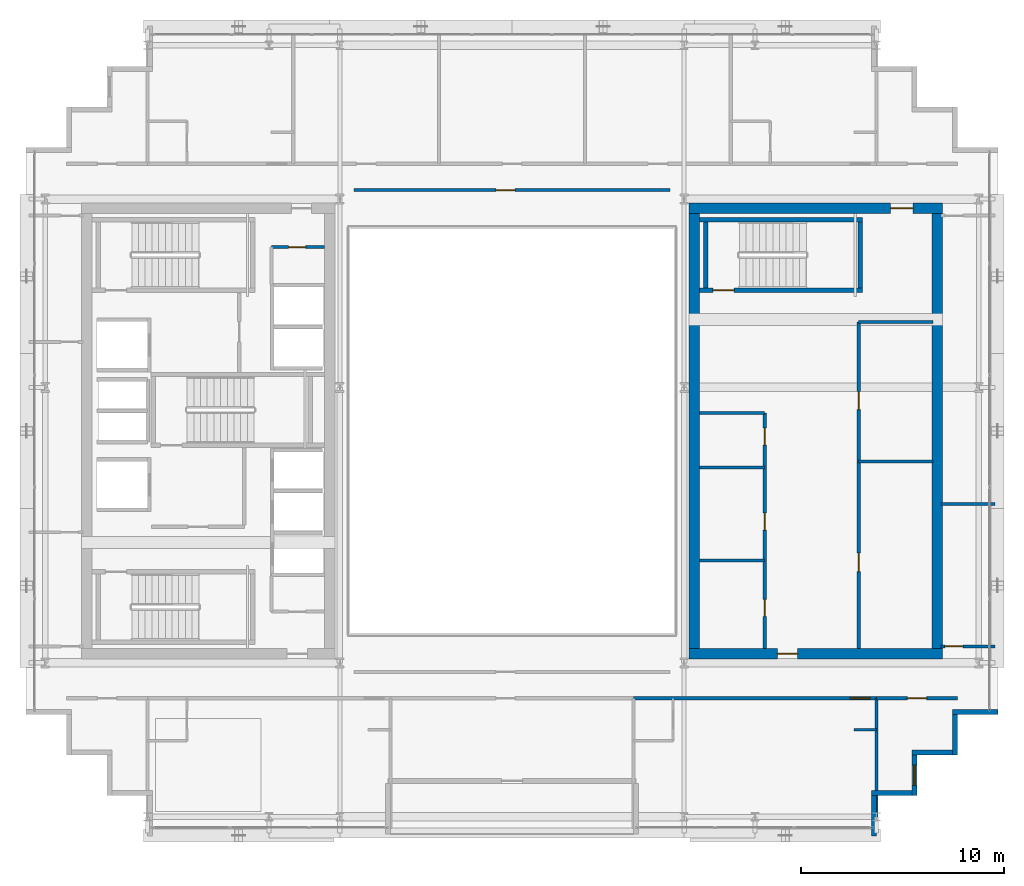
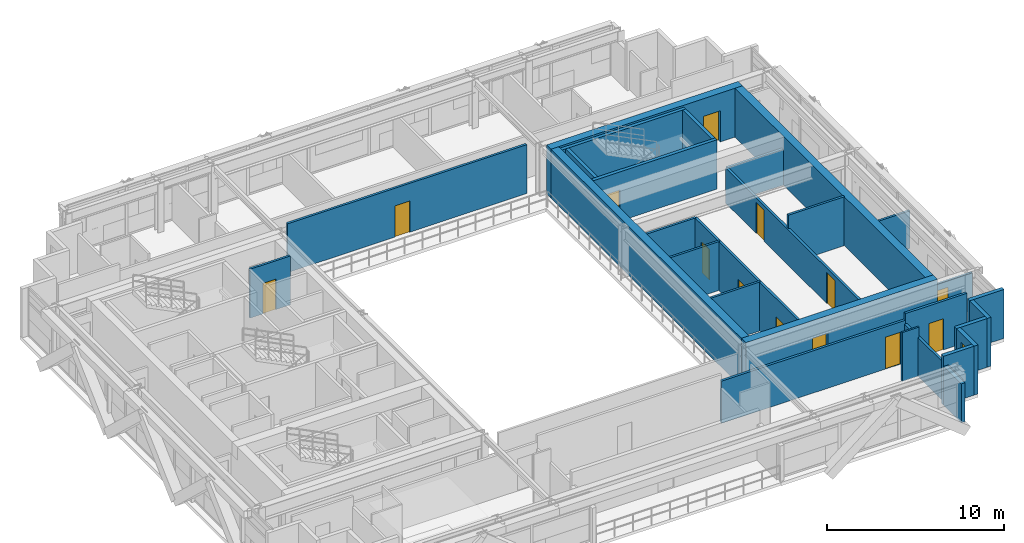
# One storey, part 25 of 30: 29 walls, 13 doors, 1 window, 14 openings.
"""IFC4 building model written with IfcOpenShell, lengths in metres."""

from ifc_helpers import new_model, si_unit, direction, frame, frame_2d, origin, place, context, subcontext, project, spatial, rectangle, extrude, source, transform, mapped, material, layer, layer_set, type_object, element, fill, save


model = new_model("IFC4")

# Units and contexts
model_context = context("Model", 3, precision=1e-05, world=origin(), true_north=direction((0.0, 1.0)))
body_context = subcontext(model_context, "Body", "Model", "MODEL_VIEW")
ifc_project = project(units=[si_unit("LENGTHUNIT", "METRE"), si_unit("AREAUNIT", "SQUARE_METRE"), si_unit("VOLUMEUNIT", "CUBIC_METRE"), si_unit("PLANEANGLEUNIT", "RADIAN"), si_unit("MASSUNIT", "GRAM", prefix="KILO")], contexts=[model_context])

# Site, building, storey
site_placement = place(None, origin())
site = spatial("IfcSite", under=ifc_project, at=site_placement, CompositionType="ELEMENT")
building_placement = place(site_placement, origin())
building = spatial("IfcBuilding", under=site, at=building_placement, Name="Ocotamira Hotel", CompositionType="ELEMENT")
storey_placement = place(building_placement, frame((0.0, 0.0, 195.60009765625)))
storey = spatial("IfcBuildingStorey", under=building, at=storey_placement, Name="L49", CompositionType="ELEMENT", Elevation=195.60009765625)

# Wall, opening, door
ifc_material_1 = material(Name="Concrete C50/60", Category="concrete")
ifc_layer_1 = layer(ifc_material_1, 0.5)
ifc_layer_set_1 = layer_set([ifc_layer_1], Name="Concrete C50/60")
wall_type_1 = type_object("IfcWallType", Name="WL-CORE-500", PredefinedType="SHEAR", material=ifc_layer_set_1)
wall_1_placement = place(storey_placement, frame((40.75, 15.0, 0.0), z_axis=(0.0, 0.0, 1.0), x_axis=(1.0, 0.0, 0.0)))
wall_1 = element("IfcWall", 1, at=wall_1_placement, inside=storey, type_object=wall_type_1, Name="L49 Shear Core Wall ECORE-S", PredefinedType="SHEAR", context=body_context, shape_type="SweptSolid", body=[
    extrude(rectangle(XDim=12.5, YDim=0.5, at=frame_2d((6.25, 0.0))), origin(), (0.0, 0.0, 1.0), 3.369873046875),
])
opening_1_placement = place(wall_1_placement, frame((4.35009765625, 0.0, 0.0)))
opening_1 = element("IfcOpeningElement", 2, at=opening_1_placement, cuts=wall_1, Name="Opening D-FR2", PredefinedType="OPENING", context=body_context, shape_type="SweptSolid", body=[
    extrude(rectangle(XDim=1.0, YDim=2.14990234375, at=frame_2d((0.5, 1.074951171875))), frame((0.0, 0.260009765625, 0.0), z_axis=(0.0, -1.0, 0.0), x_axis=(1.0, 0.0, 0.0)), (0.0, 0.0, 1.0), 0.52001953125),
])
ifc_material_2 = material(Name="Fire-rated acoustic timber-veneer door", Category="wood")
door_type_1 = type_object("IfcDoorType", Name="DR-FIRE-1000", OperationType="NOTDEFINED", PredefinedType="DOOR", material=ifc_material_2)
shared_shape_1 = source(origin(), body_context, "Body", "SweptSolid", [
    extrude(rectangle(XDim=1.0, YDim=2.14990234375, at=frame_2d((0.5, 1.074951171875))), frame((0.0, 0.02490234375, 0.0), z_axis=(0.0, -1.0, 0.0), x_axis=(1.0, 0.0, 0.0)), (0.0, 0.0, 1.0), 0.050048828125),
])
door_1_placement = place(opening_1_placement, origin())
door_1 = element("IfcDoor", 3, at=door_1_placement, inside=storey, type_object=door_type_1, Name="L49 Door ID-L49-ELOB-S-D [ID-L49-ELOB-S-D]", OperationType="SINGLE_SWING_RIGHT", OverallHeight=2.14990234375, OverallWidth=1.0, PredefinedType="DOOR", context=body_context, shape_type="MappedRepresentation", body=[
    mapped(shared_shape_1, transform((0.0, 0.0, 0.0), scale=1.0)),
])
fill(opening_1, door_1)

wall_2_placement = place(storey_placement, frame((40.75, 37.0, 0.0), z_axis=(0.0, 0.0, 1.0), x_axis=(1.0, 0.0, 0.0)))
wall_2 = element("IfcWall", 4, at=wall_2_placement, inside=storey, type_object=wall_type_1, Name="L49 Shear Core Wall ECORE-N", PredefinedType="SHEAR", context=body_context, shape_type="SweptSolid", body=[
    extrude(rectangle(XDim=12.5, YDim=0.5, at=frame_2d((6.25, 0.0))), origin(), (0.0, 0.0, 1.0), 3.369873046875),
])
opening_2_placement = place(wall_2_placement, frame((9.949951171875, 0.0, 0.0)))
opening_2 = element("IfcOpeningElement", 5, at=opening_2_placement, cuts=wall_2, Name="Opening D-FR1", PredefinedType="OPENING", context=body_context, shape_type="SweptSolid", body=[
    extrude(rectangle(XDim=1.10009765625, YDim=2.14990234375, at=frame_2d((0.550048828125, 1.074951171875))), frame((0.0, 0.260009765625, 0.0), z_axis=(0.0, -1.0, 0.0), x_axis=(1.0, 0.0, 0.0)), (0.0, 0.0, 1.0), 0.52001953125),
])
door_type_2 = type_object("IfcDoorType", Name="DR-FIRE-1100", OperationType="NOTDEFINED", PredefinedType="DOOR", material=ifc_material_2)
shared_shape_2 = source(origin(), body_context, "Body", "SweptSolid", [
    extrude(rectangle(XDim=1.10009765625, YDim=2.14990234375, at=frame_2d((0.550048828125, 1.074951171875))), frame((0.0, 0.02490234375, 0.0), z_axis=(0.0, -1.0, 0.0), x_axis=(1.0, 0.0, 0.0)), (0.0, 0.0, 1.0), 0.050048828125),
])
door_2_placement = place(opening_2_placement, origin())
door_2 = element("IfcDoor", 6, at=door_2_placement, inside=storey, type_object=door_type_2, Name="L49 Door ID-L49-ELOB-N-D [ID-L49-ELOB-N-D]", OperationType="SINGLE_SWING_LEFT", OverallHeight=2.14990234375, OverallWidth=1.10009765625, PredefinedType="DOOR", context=body_context, shape_type="MappedRepresentation", body=[
    mapped(shared_shape_2, transform((0.0, 0.0, 0.0), scale=1.0)),
])
fill(opening_2, door_2)

# Walls
for number, where, z_axis, x_axis, name in (
    (7, (41.0, 15.25, 0.0), (0.0, 0.0, 1.0), (0.0, 1.0, 0.0), "L49 Shear Core Wall ECORE-W"),
    (8, (53.0, 15.25, 0.0), (0.0, 0.0, 1.0), (0.0, 1.0, 0.0), "L49 Shear Core Wall ECORE-E"),
):
    element("IfcWall", number, at=place(storey_placement, frame(where, z_axis=z_axis, x_axis=x_axis)), inside=storey, type_object=wall_type_1, Name=name, PredefinedType="SHEAR", context=body_context, shape_type="SweptSolid", body=[
        extrude(rectangle(XDim=21.5, YDim=0.5, at=frame_2d((10.75, 0.0))), origin(), (0.0, 0.0, 1.0), 3.369873046875),
    ])
ifc_material_3 = material(Name="Precast concrete C45/55", Category="concrete")
ifc_layer_2 = layer(ifc_material_3, 0.25)
ifc_layer_set_2 = layer_set([ifc_layer_2], Name="Precast concrete C45/55")
wall_type_2 = type_object("IfcWallType", Name="WL-EXT-SER-250", PredefinedType="SOLIDWALL", material=ifc_layer_set_2)
wall_3_placement = place(storey_placement, frame((49.875, 6.0, 0.0), z_axis=(0.0, 0.0, 1.0), x_axis=(0.0, 1.0, 0.0)))
element("IfcWall", 9, at=wall_3_placement, inside=storey, type_object=wall_type_2, Name="L49 Serrated Corner Wall 01", PredefinedType="SOLIDWALL", context=body_context, shape_type="SweptSolid", body=[
    extrude(rectangle(XDim=2.0, YDim=0.25, at=frame_2d((1.0, 0.0))), origin(), (0.0, 0.0, 1.0), 2.677001953125),
])
wall_4_placement = place(storey_placement, frame((49.75, 8.125, 0.0), z_axis=(0.0, 0.0, 1.0), x_axis=(1.0, 0.0, 0.0)))
element("IfcWall", 10, at=wall_4_placement, inside=storey, type_object=wall_type_2, Name="L49 Serrated Corner Wall 02", PredefinedType="SOLIDWALL", context=body_context, shape_type="SweptSolid", body=[
    extrude(rectangle(XDim=2.0, YDim=0.25, at=frame_2d((1.0, 0.0))), origin(), (0.0, 0.0, 1.0), 3.369873046875),
])

# Wall, opening, window
wall_5_placement = place(storey_placement, frame((51.875, 8.0, 0.0), z_axis=(0.0, 0.0, 1.0), x_axis=(0.0, 1.0, 0.0)))
wall_5 = element("IfcWall", 11, at=wall_5_placement, inside=storey, type_object=wall_type_2, Name="L49 Serrated Corner Wall 03", PredefinedType="SOLIDWALL", context=body_context, shape_type="SweptSolid", body=[
    extrude(rectangle(XDim=2.0, YDim=0.25, at=frame_2d((1.0, 0.0))), origin(), (0.0, 0.0, 1.0), 3.369873046875),
])
opening_3_placement = place(wall_5_placement, frame((0.5, 0.0, 0.85009765625)))
opening_3 = element("IfcOpeningElement", 12, at=opening_3_placement, cuts=wall_5, Name="Opening WN-2", PredefinedType="OPENING", context=body_context, shape_type="SweptSolid", body=[
    extrude(rectangle(XDim=1.0, YDim=1.89990234375, at=frame_2d((0.5, 0.949951171875))), frame((0.0, 0.135009765625, 0.0), z_axis=(0.0, -1.0, 0.0), x_axis=(1.0, 0.0, 0.0)), (0.0, 0.0, 1.0), 0.27001953125),
])
ifc_material_4 = material(Name="Double-silver low-E solar glass", Category="glass")
window_type = type_object("IfcWindowType", Name="WIN-SER-1100", PartitioningType="SINGLE_PANEL", PredefinedType="WINDOW", material=ifc_material_4)
shared_shape_3 = source(origin(), body_context, "Body", "SweptSolid", [
    extrude(rectangle(XDim=1.0, YDim=1.89990234375, at=frame_2d((0.5, 0.949951171875))), frame((0.0, 0.030029296875, 0.0), z_axis=(0.0, -1.0, 0.0), x_axis=(1.0, 0.0, 0.0)), (0.0, 0.0, 1.0), 0.06005859375),
])
window_placement = place(opening_3_placement, origin())
window = element("IfcWindow", 13, at=window_placement, inside=storey, type_object=window_type, Name="L49 Serrated Corner Window 03", OverallHeight=1.89990234375, OverallWidth=1.0, PartitioningType="SINGLE_PANEL", PredefinedType="WINDOW", context=body_context, shape_type="MappedRepresentation", body=[
    mapped(shared_shape_3, transform((0.0, 0.0, 0.0), scale=1.0)),
])
fill(opening_3, window)

# Walls
for number, where, z_axis, x_axis, name in (
    (14, (51.75, 10.125, 0.0), (0.0, 0.0, 1.0), (1.0, 0.0, 0.0), "L49 Serrated Corner Wall 04"),
    (15, (53.875, 10.0, 0.0), (0.0, 0.0, 1.0), (0.0, 1.0, 0.0), "L49 Serrated Corner Wall 05"),
):
    element("IfcWall", number, at=place(storey_placement, frame(where, z_axis=z_axis, x_axis=x_axis)), inside=storey, type_object=wall_type_2, Name=name, PredefinedType="SOLIDWALL", context=body_context, shape_type="SweptSolid", body=[
        extrude(rectangle(XDim=2.0, YDim=0.25, at=frame_2d((1.0, 0.0))), origin(), (0.0, 0.0, 1.0), 3.369873046875),
    ])
wall_6_placement = place(storey_placement, frame((53.75, 12.125, 0.0), z_axis=(0.0, 0.0, 1.0), x_axis=(1.0, 0.0, 0.0)))
element("IfcWall", 16, at=wall_6_placement, inside=storey, type_object=wall_type_2, Name="L49 Serrated Corner Wall 06", PredefinedType="SOLIDWALL", context=body_context, shape_type="SweptSolid", body=[
    extrude(rectangle(XDim=2.25, YDim=0.25, at=frame_2d((1.125, 0.0))), origin(), (0.0, 0.0, 1.0), 3.369873046875),
])
ifc_material_5 = material(Name="Acoustic double-layer fire gypsum board partition", Category="gypsum")
ifc_layer_3 = layer(ifc_material_5, 0.159912109375)
ifc_layer_set_3 = layer_set([ifc_layer_3], Name="Acoustic double-layer fire gypsum board partition")
wall_type_3 = type_object("IfcWallType", Name="WL-FIRE-160", PredefinedType="PARTITIONING", material=ifc_layer_set_3)
wall_7_placement = place(storey_placement, frame((49.1201171875, 31.3798828125, 0.0), z_axis=(0.0, 0.0, 1.0), x_axis=(1.0, 0.0, 0.0)))
element("IfcWall", 17, at=wall_7_placement, inside=storey, type_object=wall_type_3, Name="L49 Interior Wall PW-L49-EC-FLOW-N", PredefinedType="PARTITIONING", context=body_context, shape_type="SweptSolid", body=[
    extrude(rectangle(XDim=3.679931640625, YDim=0.159912109375, at=frame_2d((1.83984375, 0.0))), origin(), (0.0, 0.0, 1.0), 2.469970703125),
])

# Wall, openings, doors
wall_8_placement = place(storey_placement, frame((49.1201171875, 15.25, 0.0), z_axis=(0.0, 0.0, 1.0), x_axis=(0.0, 1.0, 0.0)))
wall_8 = element("IfcWall", 18, at=wall_8_placement, inside=storey, type_object=wall_type_3, Name="L49 Interior Wall PW-L49-EC-FLOW-W", PredefinedType="PARTITIONING", context=body_context, shape_type="SweptSolid", body=[
    extrude(rectangle(XDim=16.1298828125, YDim=0.159912109375, at=frame_2d((8.06494140625, 0.0))), origin(), (0.0, 0.0, 1.0), 2.44287109375),
])
opening_4_placement = place(wall_8_placement, frame((3.800048828125, 0.0, 0.0)))
opening_4 = element("IfcOpeningElement", 19, at=opening_4_placement, cuts=wall_8, Name="Opening D-SV3", PredefinedType="OPENING", context=body_context, shape_type="SweptSolid", body=[
    extrude(rectangle(XDim=0.919921875, YDim=2.14990234375, at=frame_2d((0.4599609375, 1.074951171875))), frame((0.0, 0.08984375, 0.0), z_axis=(0.0, -1.0, 0.0), x_axis=(1.0, 0.0, 0.0)), (0.0, 0.0, 1.0), 0.179931640625),
])
opening_5_placement = place(wall_8_placement, frame((11.800048828125, 0.0, 0.0)))
opening_5 = element("IfcOpeningElement", 20, at=opening_5_placement, cuts=wall_8, Name="Opening D-IN3", PredefinedType="OPENING", context=body_context, shape_type="SweptSolid", body=[
    extrude(rectangle(XDim=0.89990234375, YDim=2.14990234375, at=frame_2d((0.449951171875, 1.074951171875))), frame((0.0, 0.08984375, 0.0), z_axis=(0.0, -1.0, 0.0), x_axis=(1.0, 0.0, 0.0)), (0.0, 0.0, 1.0), 0.179931640625),
])
ifc_material_6 = material(Name="Painted service room door", Category="steel")
door_type_3 = type_object("IfcDoorType", Name="DR-INT-900", OperationType="NOTDEFINED", PredefinedType="DOOR", material=ifc_material_6)
shared_shape_4 = source(origin(), body_context, "Body", "SweptSolid", [
    extrude(rectangle(XDim=0.89990234375, YDim=2.14990234375, at=frame_2d((0.449951171875, 1.074951171875))), frame((0.0, 0.02490234375, 0.0), z_axis=(0.0, -1.0, 0.0), x_axis=(1.0, 0.0, 0.0)), (0.0, 0.0, 1.0), 0.050048828125),
])
door_3_placement = place(opening_5_placement, origin())
door_3 = element("IfcDoor", 21, at=door_3_placement, inside=storey, type_object=door_type_3, Name="L49 Door ID-L49-EC-FLOW-DB [ID-L49-EC-FLOW-DB]", OperationType="SINGLE_SWING_RIGHT", OverallHeight=2.14990234375, OverallWidth=0.89990234375, PredefinedType="DOOR", context=body_context, shape_type="MappedRepresentation", body=[
    mapped(shared_shape_4, transform((0.0, 0.0, 0.0), scale=1.0)),
])
fill(opening_5, door_3)
ifc_material_7 = material(Name="Fire-rated walnut hospitality door", Category="wood")
door_type_4 = type_object("IfcDoorType", Name="DR-SERV-920", OperationType="NOTDEFINED", PredefinedType="DOOR", material=ifc_material_7)
shared_shape_5 = source(origin(), body_context, "Body", "SweptSolid", [
    extrude(rectangle(XDim=0.919921875, YDim=2.14990234375, at=frame_2d((0.4599609375, 1.074951171875))), frame((0.0, 0.02490234375, 0.0), z_axis=(0.0, -1.0, 0.0), x_axis=(1.0, 0.0, 0.0)), (0.0, 0.0, 1.0), 0.050048828125),
])
door_4_placement = place(opening_4_placement, origin())
door_4 = element("IfcDoor", 22, at=door_4_placement, inside=storey, type_object=door_type_4, Name="L49 Door ID-L49-EC-FLOW-DA [ID-L49-EC-FLOW-DA]", OperationType="SINGLE_SWING_LEFT", OverallHeight=2.14990234375, OverallWidth=0.919921875, PredefinedType="DOOR", context=body_context, shape_type="MappedRepresentation", body=[
    mapped(shared_shape_5, transform((0.0, 0.0, 0.0), scale=1.0)),
])
fill(opening_4, door_4)

# Wall, opening, door
wall_9_placement = place(storey_placement, frame((50.0, 12.800048828125, 0.0), z_axis=(0.0, 0.0, 1.0), x_axis=(1.0, 0.0, 0.0)))
wall_9 = element("IfcWall", 23, at=wall_9_placement, inside=storey, type_object=wall_type_3, Name="L49 Interior Wall PW-L49-Z3D-CSE-CW", PredefinedType="PARTITIONING", context=body_context, shape_type="SweptSolid", body=[
    extrude(rectangle(XDim=4.0, YDim=0.159912109375, at=frame_2d((2.0, 0.0))), origin(), (0.0, 0.0, 1.0), 3.369873046875),
])
opening_6_placement = place(wall_9_placement, frame((1.52001953125, 0.0, 0.0)))
opening_6 = element("IfcOpeningElement", 24, at=opening_6_placement, cuts=wall_9, Name="Opening D-SV4", PredefinedType="OPENING", context=body_context, shape_type="SweptSolid", body=[
    extrude(rectangle(XDim=0.9599609375, YDim=2.14990234375, at=frame_2d((0.47998046875, 1.074951171875))), frame((0.0, 0.08984375, 0.0), z_axis=(0.0, -1.0, 0.0), x_axis=(1.0, 0.0, 0.0)), (0.0, 0.0, 1.0), 0.179931640625),
])
ifc_material_8 = material(Name="Fire-rated accessible walnut salon door", Category="wood")
door_type_5 = type_object("IfcDoorType", Name="DR-SERV-960", OperationType="NOTDEFINED", PredefinedType="DOOR", material=ifc_material_8)
shared_shape_6 = source(origin(), body_context, "Body", "SweptSolid", [
    extrude(rectangle(XDim=0.9599609375, YDim=2.14990234375, at=frame_2d((0.47998046875, 1.074951171875))), frame((0.0, 0.02490234375, 0.0), z_axis=(0.0, -1.0, 0.0), x_axis=(1.0, 0.0, 0.0)), (0.0, 0.0, 1.0), 0.050048828125),
])
door_5_placement = place(opening_6_placement, origin())
door_5 = element("IfcDoor", 25, at=door_5_placement, inside=storey, type_object=door_type_5, Name="L49 Door ID-L49-Z3D-CSE-CD [ID-L49-Z3D-CSE-CD]", OperationType="SINGLE_SWING_LEFT", OverallHeight=2.14990234375, OverallWidth=0.9599609375, PredefinedType="DOOR", context=body_context, shape_type="MappedRepresentation", body=[
    mapped(shared_shape_6, transform((0.0, 0.0, 0.0), scale=1.0)),
])
fill(opening_6, door_5)

wall_10_placement = place(storey_placement, frame((38.0, 12.800048828125, 0.0), z_axis=(0.0, 0.0, 1.0), x_axis=(1.0, 0.0, 0.0)))
wall_10 = element("IfcWall", 26, at=wall_10_placement, inside=storey, type_object=wall_type_3, Name="L49 Interior Wall PW-L49-Z3DSE-CORRW", PredefinedType="PARTITIONING", context=body_context, shape_type="SweptSolid", body=[
    extrude(rectangle(XDim=12.0, YDim=0.159912109375, at=frame_2d((6.0, 0.0))), origin(), (0.0, 0.0, 1.0), 2.912841796875),
])
opening_7_placement = place(wall_10_placement, frame((10.699951171875, 0.0, 0.0)))
opening_7 = element("IfcOpeningElement", 27, at=opening_7_placement, cuts=wall_10, Name="Opening D-GR2", PredefinedType="OPENING", context=body_context, shape_type="SweptSolid", body=[
    extrude(rectangle(XDim=0.97998046875, YDim=2.199951171875, at=frame_2d((0.489990234375, 1.10009765625))), frame((0.0, 0.08984375, 0.0), z_axis=(0.0, -1.0, 0.0), x_axis=(1.0, 0.0, 0.0)), (0.0, 0.0, 1.0), 0.179931640625),
])
ifc_material_9 = material(Name="Solid-core walnut grand-suite entrance fire door", Category="wood")
door_type_6 = type_object("IfcDoorType", Name="DR-GUEST-980", OperationType="NOTDEFINED", PredefinedType="DOOR", material=ifc_material_9)
shared_shape_7 = source(origin(), body_context, "Body", "SweptSolid", [
    extrude(rectangle(XDim=0.97998046875, YDim=2.199951171875, at=frame_2d((0.489990234375, 1.10009765625))), frame((0.0, 0.02490234375, 0.0), z_axis=(0.0, -1.0, 0.0), x_axis=(1.0, 0.0, 0.0)), (0.0, 0.0, 1.0), 0.050048828125),
])
door_6_placement = place(opening_7_placement, origin())
door_6 = element("IfcDoor", 28, at=door_6_placement, inside=storey, type_object=door_type_6, Name="L49 Door ID-L49-Z3DSE-RMD1 [ID-L49-Z3DSE-RMD1]", OperationType="SINGLE_SWING_LEFT", OverallHeight=2.199951171875, OverallWidth=0.97998046875, PredefinedType="DOOR", context=body_context, shape_type="MappedRepresentation", body=[
    mapped(shared_shape_7, transform((0.0, 0.0, 0.0), scale=1.0)),
])
fill(opening_7, door_6)

# Wall
ifc_material_10 = material(Name="Moisture-resistant en-suite tile and gypsum partition", Category="gypsum")
ifc_layer_4 = layer(ifc_material_10, 0.1201171875)
ifc_layer_set_4 = layer_set([ifc_layer_4], Name="Moisture-resistant en-suite tile and gypsum partition")
wall_type_4 = type_object("IfcWallType", Name="WL-PART-120", PredefinedType="PARTITIONING", material=ifc_layer_set_4)
wall_11_placement = place(storey_placement, frame((48.89990234375, 11.25, 0.0), z_axis=(0.0, 0.0, 1.0), x_axis=(1.0, 0.0, 0.0)))
element("IfcWall", 29, at=wall_11_placement, inside=storey, type_object=wall_type_4, Name="L49 Interior Wall PW-L49-Z3DSE-DRN1", PredefinedType="PARTITIONING", context=body_context, shape_type="SweptSolid", body=[
    extrude(rectangle(XDim=1.10009765625, YDim=0.1201171875, at=frame_2d((0.550048828125, 0.0))), origin(), (0.0, 0.0, 1.0), 3.369873046875),
])

# Wall, opening, door
ifc_material_11 = material(Name="Acoustic hospitality gypsum board partition", Category="gypsum")
ifc_layer_5 = layer(ifc_material_11, 0.14208984375)
ifc_layer_set_5 = layer_set([ifc_layer_5], Name="Acoustic hospitality gypsum board partition")
wall_type_5 = type_object("IfcWallType", Name="WL-PART-142", PredefinedType="PARTITIONING", material=ifc_layer_set_5)
wall_12_placement = place(storey_placement, frame((20.1201171875, 35.080078125, 0.0), z_axis=(0.0, 0.0, 1.0), x_axis=(1.0, 0.0, 0.0)))
wall_12 = element("IfcWall", 30, at=wall_12_placement, inside=storey, type_object=wall_type_5, Name="L49 Interior Wall PW-L49-WC-NE-N2", PredefinedType="PARTITIONING", context=body_context, shape_type="SweptSolid", body=[
    extrude(rectangle(XDim=2.6298828125, YDim=0.14208984375, at=frame_2d((1.31494140625, 0.0))), origin(), (0.0, 0.0, 1.0), 3.369873046875),
])
opening_8_placement = place(wall_12_placement, frame((0.85009765625, 0.0, 0.0)))
opening_8 = element("IfcOpeningElement", 31, at=opening_8_placement, cuts=wall_12, Name="Opening D-SV1", PredefinedType="OPENING", context=body_context, shape_type="SweptSolid", body=[
    extrude(rectangle(XDim=0.840087890625, YDim=2.10009765625, at=frame_2d((0.419921875, 1.050048828125))), frame((0.0, 0.0810546875, 0.0), z_axis=(0.0, -1.0, 0.0), x_axis=(1.0, 0.0, 0.0)), (0.0, 0.0, 1.0), 0.162109375),
])
ifc_material_12 = material(Name="Fire-rated painted steel service door", Category="steel")
door_type_7 = type_object("IfcDoorType", Name="DR-SERV-840", OperationType="NOTDEFINED", PredefinedType="DOOR", material=ifc_material_12)
shared_shape_8 = source(origin(), body_context, "Body", "SweptSolid", [
    extrude(rectangle(XDim=0.840087890625, YDim=2.10009765625, at=frame_2d((0.419921875, 1.050048828125))), frame((0.0, 0.02490234375, 0.0), z_axis=(0.0, -1.0, 0.0), x_axis=(1.0, 0.0, 0.0)), (0.0, 0.0, 1.0), 0.050048828125),
])
door_7_placement = place(opening_8_placement, origin())
door_7 = element("IfcDoor", 32, at=door_7_placement, inside=storey, type_object=door_type_7, Name="L49 Door ID-L49-WC-NE-D2 [ID-L49-WC-NE-D2]", OperationType="SINGLE_SWING_RIGHT", OverallHeight=2.10009765625, OverallWidth=0.840087890625, PredefinedType="DOOR", context=body_context, shape_type="MappedRepresentation", body=[
    mapped(shared_shape_8, transform((0.0, 0.0, 0.0), scale=1.0)),
])
fill(opening_8, door_7)

# Walls
for number, where, z_axis, x_axis, name in (
    (33, (41.25, 19.60009765625, 0.0), (0.0, 0.0, 1.0), (1.0, 0.0, 0.0), "L49 Interior Wall PW-L49-EC-FMD1"),
    (34, (41.25, 24.199951171875, 0.0), (0.0, 0.0, 1.0), (1.0, 0.0, 0.0), "L49 Interior Wall PW-L49-EC-FMD2"),
):
    element("IfcWall", number, at=place(storey_placement, frame(where, z_axis=z_axis, x_axis=x_axis)), inside=storey, type_object=wall_type_5, Name=name, PredefinedType="PARTITIONING", context=body_context, shape_type="SweptSolid", body=[
        extrude(rectangle(XDim=3.22998046875, YDim=0.14208984375, at=frame_2d((1.614990234375, 0.0))), origin(), (0.0, 0.0, 1.0), 3.369873046875),
    ])
wall_13_placement = place(storey_placement, frame((53.179931640625, 22.39990234375, 0.0), z_axis=(0.0, 0.0, 1.0), x_axis=(1.0, 0.0, 0.0)))
element("IfcWall", 35, at=wall_13_placement, inside=storey, type_object=wall_type_5, Name="L49 Interior Wall PW-L49-Z3D-EF-DV1", PredefinedType="PARTITIONING", context=body_context, shape_type="SweptSolid", body=[
    extrude(rectangle(XDim=2.66015625, YDim=0.14208984375, at=frame_2d((1.330078125, 0.0))), origin(), (0.0, 0.0, 1.0), 2.5908203125),
])
ifc_layer_6 = layer(ifc_material_11, 0.14990234375)
ifc_layer_set_6 = layer_set([ifc_layer_6], Name="Acoustic hospitality gypsum board partition")
wall_type_6 = type_object("IfcWallType", Name="WL-PART-150", PredefinedType="PARTITIONING", material=ifc_layer_set_6)
wall_14_placement = place(storey_placement, frame((49.1201171875, 24.489990234375, 0.0), z_axis=(0.0, 0.0, 1.0), x_axis=(1.0, 0.0, 0.0)))
element("IfcWall", 36, at=wall_14_placement, inside=storey, type_object=wall_type_6, Name="L49 Interior Wall PW-L49-EC-FDIVA", PredefinedType="PARTITIONING", context=body_context, shape_type="SweptSolid", body=[
    extrude(rectangle(XDim=3.679931640625, YDim=0.14990234375, at=frame_2d((1.83984375, 0.0))), origin(), (0.0, 0.0, 1.0), 3.369873046875),
])
wall_15_placement = place(storey_placement, frame((41.25, 26.8798828125, 0.0), z_axis=(0.0, 0.0, 1.0), x_axis=(1.0, 0.0, 0.0)))
element("IfcWall", 37, at=wall_15_placement, inside=storey, type_object=wall_type_6, Name="L49 Interior Wall PW-L49-EC-FMID-N", PredefinedType="PARTITIONING", context=body_context, shape_type="SweptSolid", body=[
    extrude(rectangle(XDim=3.22998046875, YDim=0.14990234375, at=frame_2d((1.614990234375, 0.0))), origin(), (0.0, 0.0, 1.0), 3.369873046875),
])

# Wall, openings, doors
wall_16_placement = place(storey_placement, frame((44.47998046875, 15.25, 0.0), z_axis=(0.0, 0.0, 1.0), x_axis=(0.0, 1.0, 0.0)))
wall_16 = element("IfcWall", 38, at=wall_16_placement, inside=storey, type_object=wall_type_6, Name="L49 Interior Wall PW-L49-EC-FMID-E", PredefinedType="PARTITIONING", context=body_context, shape_type="SweptSolid", body=[
    extrude(rectangle(XDim=11.6298828125, YDim=0.14990234375, at=frame_2d((5.81494140625, 0.0))), origin(), (0.0, 0.0, 1.0), 3.369873046875),
])
opening_9_placement = place(wall_16_placement, frame((1.60009765625, 0.0, 0.0)))
opening_9 = element("IfcOpeningElement", 39, at=opening_9_placement, cuts=wall_16, Name="Opening D-SV1", PredefinedType="OPENING", context=body_context, shape_type="SweptSolid", body=[
    extrude(rectangle(XDim=0.840087890625, YDim=2.10009765625, at=frame_2d((0.419921875, 1.050048828125))), frame((0.0, 0.0849609375, 0.0), z_axis=(0.0, -1.0, 0.0), x_axis=(1.0, 0.0, 0.0)), (0.0, 0.0, 1.0), 0.169921875),
])
opening_10_placement = place(wall_16_placement, frame((5.85009765625, 0.0, 0.0)))
opening_10 = element("IfcOpeningElement", 40, at=opening_10_placement, cuts=wall_16, Name="Opening D-SV1", PredefinedType="OPENING", context=body_context, shape_type="SweptSolid", body=[
    extrude(rectangle(XDim=0.840087890625, YDim=2.10009765625, at=frame_2d((0.419921875, 1.050048828125))), frame((0.0, 0.0849609375, 0.0), z_axis=(0.0, -1.0, 0.0), x_axis=(1.0, 0.0, 0.0)), (0.0, 0.0, 1.0), 0.169921875),
])
opening_11_placement = place(wall_16_placement, frame((10.050048828125, 0.0, 0.0)))
opening_11 = element("IfcOpeningElement", 41, at=opening_11_placement, cuts=wall_16, Name="Opening D-SV1", PredefinedType="OPENING", context=body_context, shape_type="SweptSolid", body=[
    extrude(rectangle(XDim=0.840087890625, YDim=2.10009765625, at=frame_2d((0.419921875, 1.050048828125))), frame((0.0, 0.0849609375, 0.0), z_axis=(0.0, -1.0, 0.0), x_axis=(1.0, 0.0, 0.0)), (0.0, 0.0, 1.0), 0.169921875),
])
door_8_placement = place(opening_9_placement, origin())
door_8 = element("IfcDoor", 42, at=door_8_placement, inside=storey, type_object=door_type_7, Name="L49 Door ID-L49-EC-FMD-1 [ID-L49-EC-FMD-1]", OperationType="SINGLE_SWING_LEFT", OverallHeight=2.10009765625, OverallWidth=0.840087890625, PredefinedType="DOOR", context=body_context, shape_type="MappedRepresentation", body=[
    mapped(shared_shape_8, transform((0.0, 0.0, 0.0), scale=1.0)),
])
fill(opening_9, door_8)
door_9_placement = place(opening_10_placement, origin())
door_9 = element("IfcDoor", 43, at=door_9_placement, inside=storey, type_object=door_type_7, Name="L49 Door ID-L49-EC-FMD-2 [ID-L49-EC-FMD-2]", OperationType="SINGLE_SWING_RIGHT", OverallHeight=2.10009765625, OverallWidth=0.840087890625, PredefinedType="DOOR", context=body_context, shape_type="MappedRepresentation", body=[
    mapped(shared_shape_8, transform((0.0, 0.0, 0.0), scale=1.0)),
])
fill(opening_10, door_9)
door_10_placement = place(opening_11_placement, origin())
door_10 = element("IfcDoor", 44, at=door_10_placement, inside=storey, type_object=door_type_7, Name="L49 Door ID-L49-EC-FMD-3 [ID-L49-EC-FMD-3]", OperationType="SINGLE_SWING_LEFT", OverallHeight=2.10009765625, OverallWidth=0.840087890625, PredefinedType="DOOR", context=body_context, shape_type="MappedRepresentation", body=[
    mapped(shared_shape_8, transform((0.0, 0.0, 0.0), scale=1.0)),
])
fill(opening_11, door_10)

# Wall, opening, door
wall_17_placement = place(storey_placement, frame((24.199951171875, 37.89990234375, 0.0), z_axis=(0.0, 0.0, 1.0), x_axis=(1.0, 0.0, 0.0)))
wall_17 = element("IfcWall", 45, at=wall_17_placement, inside=storey, type_object=wall_type_6, Name="L49 Interior Wall PW-L49-Z3D-ATRNW", PredefinedType="PARTITIONING", context=body_context, shape_type="SweptSolid", body=[
    extrude(rectangle(XDim=15.60009765625, YDim=0.14990234375, at=frame_2d((7.800048828125, 0.0))), origin(), (0.0, 0.0, 1.0), 3.369873046875),
])
opening_12_placement = place(wall_17_placement, frame((7.0, 0.0, 0.0)))
opening_12 = element("IfcOpeningElement", 46, at=opening_12_placement, cuts=wall_17, Name="Opening D-SV4", PredefinedType="OPENING", context=body_context, shape_type="SweptSolid", body=[
    extrude(rectangle(XDim=0.9599609375, YDim=2.14990234375, at=frame_2d((0.47998046875, 1.074951171875))), frame((0.0, 0.0849609375, 0.0), z_axis=(0.0, -1.0, 0.0), x_axis=(1.0, 0.0, 0.0)), (0.0, 0.0, 1.0), 0.169921875),
])
door_11_placement = place(opening_12_placement, origin())
door_11 = element("IfcDoor", 47, at=door_11_placement, inside=storey, type_object=door_type_5, Name="L49 Door ID-L49-Z3D-AND [ID-L49-Z3D-AND]", OperationType="SINGLE_SWING_RIGHT", OverallHeight=2.14990234375, OverallWidth=0.9599609375, PredefinedType="DOOR", context=body_context, shape_type="MappedRepresentation", body=[
    mapped(shared_shape_6, transform((0.0, 0.0, 0.0), scale=1.0)),
])
fill(opening_12, door_11)

wall_18_placement = place(storey_placement, frame((53.179931640625, 15.360107421875, 0.0), z_axis=(0.0, 0.0, 1.0), x_axis=(1.0, 0.0, 0.0)))
wall_18 = element("IfcWall", 48, at=wall_18_placement, inside=storey, type_object=wall_type_6, Name="L49 Interior Wall PW-L49-Z3D-EF-WS", PredefinedType="PARTITIONING", context=body_context, shape_type="SweptSolid", body=[
    extrude(rectangle(XDim=2.66015625, YDim=0.14990234375, at=frame_2d((1.330078125, 0.0))), origin(), (0.0, 0.0, 1.0), 2.5908203125),
])
opening_13_placement = place(wall_18_placement, frame((0.199951171875, 0.0, 0.0)))
opening_13 = element("IfcOpeningElement", 49, at=opening_13_placement, cuts=wall_18, Name="Opening D-SV2", PredefinedType="OPENING", context=body_context, shape_type="SweptSolid", body=[
    extrude(rectangle(XDim=0.8798828125, YDim=2.14990234375, at=frame_2d((0.43994140625, 1.074951171875))), frame((0.0, 0.0849609375, 0.0), z_axis=(0.0, -1.0, 0.0), x_axis=(1.0, 0.0, 0.0)), (0.0, 0.0, 1.0), 0.169921875),
])
door_type_8 = type_object("IfcDoorType", Name="DR-SERV-880", OperationType="NOTDEFINED", PredefinedType="DOOR", material=ifc_material_12)
shared_shape_9 = source(origin(), body_context, "Body", "SweptSolid", [
    extrude(rectangle(XDim=0.8798828125, YDim=2.14990234375, at=frame_2d((0.43994140625, 1.074951171875))), frame((0.0, 0.02490234375, 0.0), z_axis=(0.0, -1.0, 0.0), x_axis=(1.0, 0.0, 0.0)), (0.0, 0.0, 1.0), 0.050048828125),
])
door_12_placement = place(opening_13_placement, origin())
door_12 = element("IfcDoor", 50, at=door_12_placement, inside=storey, type_object=door_type_8, Name="L49 Door ID-L49-Z3D-EF-DS [ID-L49-Z3D-EF-DS]", OperationType="SINGLE_SWING_RIGHT", OverallHeight=2.14990234375, OverallWidth=0.8798828125, PredefinedType="DOOR", context=body_context, shape_type="MappedRepresentation", body=[
    mapped(shared_shape_9, transform((0.0, 0.0, 0.0), scale=1.0)),
])
fill(opening_13, door_12)

# Wall
ifc_material_13 = material(Name="Acoustic double-stud hospitality gypsum partition", Category="gypsum")
ifc_layer_7 = layer(ifc_material_13, 0.159912109375)
ifc_layer_set_7 = layer_set([ifc_layer_7], Name="Acoustic double-stud hospitality gypsum partition")
wall_type_7 = type_object("IfcWallType", Name="WL-PART-160", PredefinedType="PARTITIONING", material=ifc_layer_set_7)
wall_19_placement = place(storey_placement, frame((50.0, 6.360107421875, 0.0), z_axis=(0.0, 0.0, 1.0), x_axis=(0.0, 1.0, 0.0)))
element("IfcWall", 51, at=wall_19_placement, inside=storey, type_object=wall_type_7, Name="L49 Interior Wall PW-L49-Z3DSE-PWEND", PredefinedType="PARTITIONING", context=body_context, shape_type="SweptSolid", body=[
    extrude(rectangle(XDim=6.43994140625, YDim=0.159912109375, at=frame_2d((3.219970703125, 0.0))), origin(), (0.0, 0.0, 1.0), 2.677001953125),
])

# Wall, opening, door
ifc_layer_8 = layer(ifc_material_1, 0.219970703125)
ifc_layer_set_8 = layer_set([ifc_layer_8], Name="Concrete C50/60")
wall_type_8 = type_object("IfcWallType", Name="WL-STAIR-220", PredefinedType="SHEAR", material=ifc_layer_set_8)
wall_20_placement = place(storey_placement, frame((41.25, 32.93994140625, 0.0), z_axis=(0.0, 0.0, 1.0), x_axis=(1.0, 0.0, 0.0)))
wall_20 = element("IfcWall", 52, at=wall_20_placement, inside=storey, type_object=wall_type_8, Name="L49 Stair Shaft Structural Wall ST-4-S", PredefinedType="SHEAR", context=body_context, shape_type="SweptSolid", body=[
    extrude(rectangle(XDim=8.06005859375, YDim=0.219970703125, at=frame_2d((4.030029296875, 0.0))), origin(), (0.0, 0.0, 1.0), 3.39990234375),
])
opening_14_placement = place(wall_20_placement, frame((0.669921875, 0.0, 0.0)))
opening_14 = element("IfcOpeningElement", 53, at=opening_14_placement, cuts=wall_20, Name="Opening D-ST2", PredefinedType="OPENING", context=body_context, shape_type="SweptSolid", body=[
    extrude(rectangle(XDim=1.050048828125, YDim=2.14990234375, at=frame_2d((0.52490234375, 1.074951171875))), frame((0.0, 0.1201171875, 0.0), z_axis=(0.0, -1.0, 0.0), x_axis=(1.0, 0.0, 0.0)), (0.0, 0.0, 1.0), 0.239990234375),
])
ifc_material_14 = material(Name="Insulated painted hollow-metal fire exit door", Category="steel")
door_type_9 = type_object("IfcDoorType", Name="DR-STAIR-1050", OperationType="NOTDEFINED", PredefinedType="DOOR", material=ifc_material_14)
shared_shape_10 = source(origin(), body_context, "Body", "SweptSolid", [
    extrude(rectangle(XDim=1.050048828125, YDim=2.14990234375, at=frame_2d((0.52490234375, 1.074951171875))), frame((0.0, 0.02490234375, 0.0), z_axis=(0.0, -1.0, 0.0), x_axis=(1.0, 0.0, 0.0)), (0.0, 0.0, 1.0), 0.050048828125),
])
door_13_placement = place(opening_14_placement, origin())
door_13 = element("IfcDoor", 54, at=door_13_placement, inside=storey, type_object=door_type_9, Name="L49 Door ID-L49-STD-ST-4 [ID-L49-STD-ST-4]", OperationType="SINGLE_SWING_LEFT", OverallHeight=2.14990234375, OverallWidth=1.050048828125, PredefinedType="DOOR", context=body_context, shape_type="MappedRepresentation", body=[
    mapped(shared_shape_10, transform((0.0, 0.0, 0.0), scale=1.0)),
])
fill(opening_14, door_13)

# Walls
wall_21_placement = place(storey_placement, frame((41.25, 36.43994140625, 0.0), z_axis=(0.0, 0.0, 1.0), x_axis=(1.0, 0.0, 0.0)))
element("IfcWall", 55, at=wall_21_placement, inside=storey, type_object=wall_type_8, Name="L49 Stair Shaft Structural Wall ST-4-N", PredefinedType="SHEAR", context=body_context, shape_type="SweptSolid", body=[
    extrude(rectangle(XDim=8.06005859375, YDim=0.219970703125, at=frame_2d((4.030029296875, 0.0))), origin(), (0.0, 0.0, 1.0), 3.39990234375),
])
for number, where, z_axis, x_axis, name in (
    (56, (41.56005859375, 33.050048828125, 0.0), (0.0, 0.0, 1.0), (0.0, 1.0, 0.0), "L49 Stair Shaft Structural Wall ST-4-W"),
    (57, (49.199951171875, 33.050048828125, 0.0), (0.0, 0.0, 1.0), (0.0, 1.0, 0.0), "L49 Stair Shaft Structural Wall ST-4-E"),
):
    element("IfcWall", number, at=place(storey_placement, frame(where, z_axis=z_axis, x_axis=x_axis)), inside=storey, type_object=wall_type_8, Name=name, PredefinedType="SHEAR", context=body_context, shape_type="SweptSolid", body=[
        extrude(rectangle(XDim=3.280029296875, YDim=0.219970703125, at=frame_2d((1.64013671875, 0.0))), origin(), (0.0, 0.0, 1.0), 3.39990234375),
    ])

save(model, "model.ifc")
